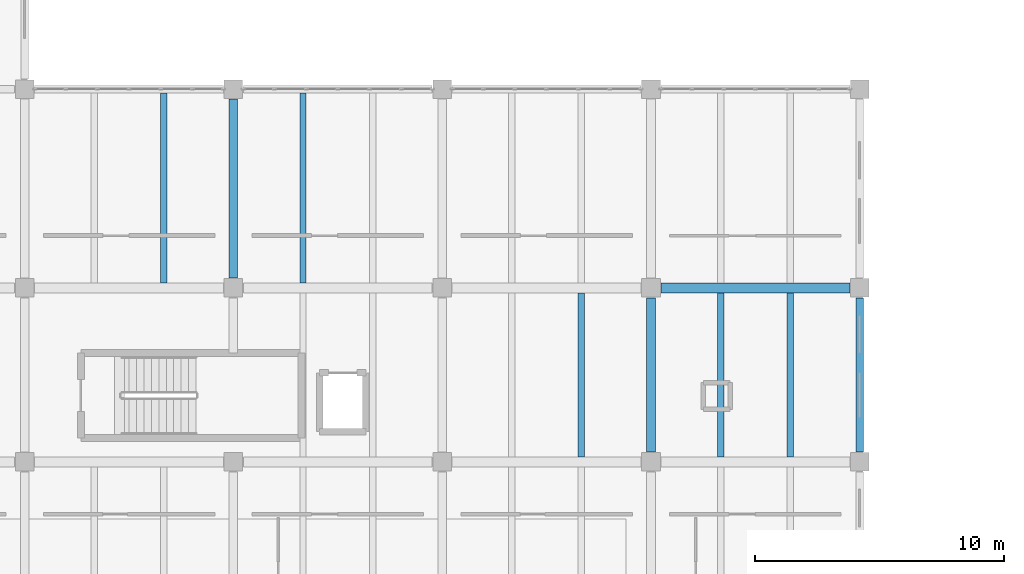
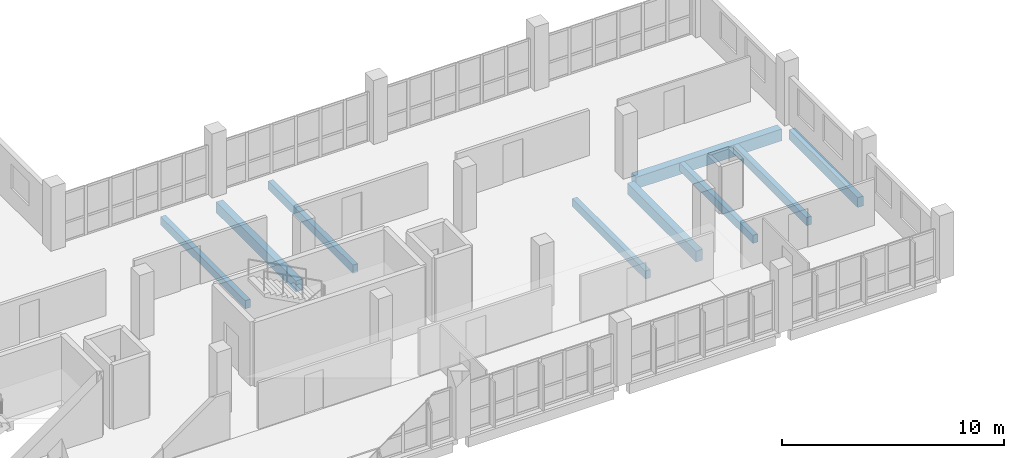
# One storey, part 19 of 95: 9 beams.
"""IFC4 building model written with IfcOpenShell, lengths in metres."""

import ifcopenshell
import ifcopenshell.guid

model = None  # the IFC model being written
_history = None  # IfcOwnerHistory: only IFC2X3 demands one
_inside = {}  # id of a spatial element -> (the spatial element, [elements in it])
_under = {}  # id of a project, library or spatial element -> (it, [spatial elements below it])
_declared = {}  # id of a project -> (the project, [libraries it declares])
_typed = {}  # id of a type object -> (the type object, [elements of that type])
_made_of = {}  # id of a material, layer set ... -> (it, [elements and type objects made of it])


def new_model(schema):
    """Start an empty IFC model of exactly this schema.

    Asked for "IFC4X3", IfcOpenShell would pick the latest addendum, in which some entities
    have other attributes; the version numbers below select the first issue.
    IFC2X3 requires an IfcOwnerHistory on every rooted entity: one is made here for all.
    """
    global model, _history
    if schema == "IFC4X3":
        model = ifcopenshell.file(schema_version=(4, 3, 0, 0))
    else:
        model = ifcopenshell.file(schema=schema)
    _inside.clear()
    _under.clear()
    _declared.clear()
    _typed.clear()
    _made_of.clear()
    _history = None
    if model.schema == "IFC2X3":
        org = make("IfcOrganization", Name="unknown")
        user = make(
            "IfcPersonAndOrganization",
            ThePerson=make("IfcPerson", FamilyName="unknown"),
            TheOrganization=org,
        )
        app = make(
            "IfcApplication",
            ApplicationDeveloper=org,
            Version="unknown",
            ApplicationFullName="unknown",
            ApplicationIdentifier="unknown",
        )
        _history = make(
            "IfcOwnerHistory",
            OwningUser=user,
            OwningApplication=app,
            ChangeAction="ADDED",
            CreationDate=0,
        )
    return model


def make(cls, **values):
    """One entity of the class cls with the attributes given. An attribute that is None is left unset."""
    return model.create_entity(
        cls, **{name: value for name, value in values.items() if value is not None}
    )


def rooted(cls, **values):
    """An entity with a GlobalId (a new one), such as an element, a storey or a relation."""
    return make(cls, GlobalId=ifcopenshell.guid.new(), OwnerHistory=_history, **values)


def si_unit(unit_type, name, prefix=None):
    """IfcSIUnit, for example si_unit("LENGTHUNIT", "METRE", prefix="MILLI")."""
    return make("IfcSIUnit", UnitType=unit_type, Prefix=prefix, Name=name)


def assignment(units):
    """IfcUnitAssignment: the units of a project."""
    return None if units is None else make("IfcUnitAssignment", Units=units)


def point(xyz):
    """IfcCartesianPoint."""
    return None if xyz is None else make("IfcCartesianPoint", Coordinates=xyz)


def direction(xyz):
    """IfcDirection."""
    return None if xyz is None else make("IfcDirection", DirectionRatios=xyz)


def frame(location, z_axis=None, x_axis=None):
    """IfcAxis2Placement3D, a coordinate frame: its origin and axes. An axis left out is left unset."""
    return make(
        "IfcAxis2Placement3D",
        Location=point(location),
        Axis=direction(z_axis),
        RefDirection=direction(x_axis),
    )


def frame_2d(location, x_axis=None):
    """IfcAxis2Placement2D, a coordinate frame in the plane: its origin and x axis."""
    return make(
        "IfcAxis2Placement2D", Location=point(location), RefDirection=direction(x_axis)
    )


def origin():
    """The frame at (0, 0, 0) with its axes left unset."""
    return frame((0.0, 0.0, 0.0))


def origin_2d():
    """The frame at (0, 0) in the plane with its x axis left unset."""
    return frame_2d((0.0, 0.0))


def place(relative_to, where):
    """IfcLocalPlacement: puts the frame where relative to a parent placement (None: the world)."""
    return make(
        "IfcLocalPlacement", PlacementRelTo=relative_to, RelativePlacement=where
    )


def context(
    kind, dimensions, precision=None, world=None, true_north=None, identifier=None
):
    """IfcGeometricRepresentationContext, for example the 3D "Model" context."""
    return make(
        "IfcGeometricRepresentationContext",
        ContextIdentifier=identifier,
        ContextType=kind,
        CoordinateSpaceDimension=dimensions,
        Precision=precision,
        WorldCoordinateSystem=world,
        TrueNorth=true_north,
    )


def subcontext(parent, identifier, kind, view, scale=None):
    """IfcGeometricRepresentationSubContext, for example "Body" below "Model"."""
    return make(
        "IfcGeometricRepresentationSubContext",
        ContextIdentifier=identifier,
        ContextType=kind,
        ParentContext=parent,
        TargetScale=scale,
        TargetView=view,
    )


def project(units=None, contexts=None):
    """IfcProject with its units and contexts."""
    return rooted(
        "IfcProject",
        Name="project",
        RepresentationContexts=contexts,
        UnitsInContext=assignment(units),
    )


def spatial(cls, under=None, at=None, **own):
    """A site, building, storey or space (cls), placed at a placement, below another one or the project."""
    s = rooted(cls, ObjectPlacement=at, **own)
    if under is not None:
        _under.setdefault(under.id(), (under, []))[1].append(s)
    return s


def profile(cls, at=None, kind="AREA", **sizes):
    """A parametric profile (cls). Its sizes go by their IFC names, for example OverallWidth=200.0."""
    return make(cls, ProfileType=kind, Position=at, **sizes)


def rectangle(**sizes):
    """IfcRectangleProfileDef."""
    return profile("IfcRectangleProfileDef", **sizes)


def extrude(swept, where, along, depth):
    """IfcExtrudedAreaSolid: the profile swept, set in the frame where, extruded along a direction by depth."""
    return make(
        "IfcExtrudedAreaSolid",
        SweptArea=swept,
        Position=where,
        ExtrudedDirection=direction(along),
        Depth=depth,
    )


def shape(context_of_items, identifier, shape_type, items):
    """IfcShapeRepresentation: the items that make up one representation, for example the "Body"."""
    return make(
        "IfcShapeRepresentation",
        ContextOfItems=context_of_items,
        RepresentationIdentifier=identifier,
        RepresentationType=shape_type,
        Items=items,
    )


def material(Name=None, Category=None):
    """IfcMaterial."""
    return make("IfcMaterial", Name=Name, Category=Category)


def material_profile(
    of_material, cross_section, Name=None, Category=None, Priority=None
):
    """IfcMaterialProfile: a cross section and its material."""
    return make(
        "IfcMaterialProfile",
        Name=Name,
        Material=of_material,
        Profile=cross_section,
        Priority=Priority,
        Category=Category,
    )


def profile_set(profiles, Name=None, composite=None):
    """IfcMaterialProfileSet."""
    return make(
        "IfcMaterialProfileSet",
        Name=Name,
        MaterialProfiles=profiles,
        CompositeProfile=composite,
    )


def made_of(thing, what):
    """Note that an element or type object is made of a material, layer set ...; save() writes the relation."""
    if what is not None:
        _made_of.setdefault(what.id(), (what, []))[1].append(thing)
    return thing


def type_object(cls, material=None, **own):
    """A type object (cls), such as IfcWallType, which elements share."""
    return made_of(rooted(cls, **own), material)


def element(
    cls,
    number,
    at=None,
    inside=None,
    cuts=None,
    type_object=None,
    material=None,
    context=None,
    identifier="Body",
    shape_type=None,
    held_by="IfcProductDefinitionShape",
    body=None,
    shapes=None,
    **own,
):
    """One element of the class cls, such as IfcWall. Its Tag is "e" and its number.

    at: its placement. inside: the storey or other place that contains it. cuts: it is an
    opening in that element (IfcRelVoidsElement). A single representation is given by context,
    identifier, shape_type and body (its items); several are given by shapes. held_by: the class
    of the entity that holds the representations. save() writes the other relations.
    """
    e = rooted(cls, Tag="e%d" % number, ObjectPlacement=at, **own)
    if body is not None:
        shapes = [shape(context, identifier, shape_type, body)]
    if shapes is not None:
        e.Representation = make(held_by, Representations=shapes)
    if inside is not None:
        _inside.setdefault(inside.id(), (inside, []))[1].append(e)
    if cuts is not None:
        rooted(
            "IfcRelVoidsElement", RelatingBuildingElement=cuts, RelatedOpeningElement=e
        )
    if type_object is not None:
        _typed.setdefault(type_object.id(), (type_object, []))[1].append(e)
    return made_of(e, material)


def aggregate(whole, parts):
    """IfcRelAggregates: a whole, such as a stair, and the parts it consists of."""
    return rooted("IfcRelAggregates", RelatingObject=whole, RelatedObjects=parts)


def save(model, path):
    """Write the relations noted so far, then the file.

    IfcRelAggregates (storeys below a building ...), IfcRelContainedInSpatialStructure (elements
    in a storey), IfcRelDefinesByType, IfcRelAssociatesMaterial and IfcRelDeclares: one each for
    every whole, place, type object, material and project.
    """
    for whole, parts in _under.values():
        aggregate(whole, parts)
    for where, things in _inside.values():
        rooted(
            "IfcRelContainedInSpatialStructure",
            RelatedElements=things,
            RelatingStructure=where,
        )
    for kind, things in _typed.values():
        rooted("IfcRelDefinesByType", RelatedObjects=things, RelatingType=kind)
    for what, things in _made_of.values():
        rooted("IfcRelAssociatesMaterial", RelatedObjects=things, RelatingMaterial=what)
    for by, libraries in _declared.values():
        rooted("IfcRelDeclares", RelatingContext=by, RelatedDefinitions=libraries)
    model.write(path)


model = new_model("IFC4")

# Units and contexts
model_context = context("Model", 3, precision=1e-05, world=origin(), true_north=direction((0.0, 1.0)))
body_context = subcontext(model_context, "Body", "Model", "MODEL_VIEW")
ifc_project = project(units=[si_unit("LENGTHUNIT", "METRE"), si_unit("AREAUNIT", "SQUARE_METRE"), si_unit("VOLUMEUNIT", "CUBIC_METRE"), si_unit("PLANEANGLEUNIT", "RADIAN"), si_unit("MASSUNIT", "GRAM", prefix="KILO"), si_unit("THERMODYNAMICTEMPERATUREUNIT", "KELVIN"), si_unit("POWERUNIT", "WATT")], contexts=[model_context])

# Site, building, storey
site_placement = place(None, origin())
site = spatial("IfcSite", under=ifc_project, at=site_placement, CompositionType="ELEMENT")
building_placement = place(site_placement, origin())
building = spatial("IfcBuilding", under=site, at=building_placement, Name="Mavoryth Pier Ferry Terminal", CompositionType="ELEMENT")
storey_placement = place(building_placement, frame((0.0, 0.0, 9.60009765625)))
storey = spatial("IfcBuildingStorey", under=building, at=storey_placement, Name="L02", CompositionType="ELEMENT", Elevation=9.60009765625)

# Beams
ifc_material = material(Name="Concrete C35/45", Category="concrete")
ifc_material_profile_1 = material_profile(ifc_material, rectangle(XDim=0.35009765625, YDim=0.60009765625, at=origin_2d()), Name="RC 350x600", Category="concrete")
ifc_profile_set_1 = profile_set([ifc_material_profile_1], Name="Concrete C35/45 - RC 350x600")
beam_type_1 = type_object("IfcBeamType", Name="Girder-RC-350x600", PredefinedType="BEAM", material=ifc_profile_set_1)
beam_1_placement = place(storey_placement, frame((67.199951171875, 14.39990234375, -0.56005859375), z_axis=(0.0, 1.0, 0.0), x_axis=(-1.0, 0.0, 0.0)))
element("IfcBeam", 1, at=beam_1_placement, inside=storey, type_object=beam_type_1, Name="Beam B02-BG08-0986", PredefinedType="BEAM", context=body_context, shape_type="SweptSolid", body=[
    extrude(rectangle(XDim=0.35009765625, YDim=0.60009765625, at=origin_2d()), origin(), (0.0, 0.0, 1.0), 7.2001953125),
])
beam_2_placement = place(storey_placement, frame((84.0, 7.39990234375, -0.56005859375), z_axis=(0.0, 1.0, 0.0), x_axis=(-1.0, 0.0, 0.0)))
element("IfcBeam", 2, at=beam_2_placement, inside=storey, type_object=beam_type_1, Name="Beam B02-BG08-0991", PredefinedType="BEAM", context=body_context, shape_type="SweptSolid", body=[
    extrude(rectangle(XDim=0.35009765625, YDim=0.60009765625, at=origin_2d()), origin(), (0.0, 0.0, 1.0), 6.2001953125),
])
ifc_material_profile_2 = material_profile(ifc_material, rectangle(XDim=0.39990234375, YDim=0.64990234375, at=origin_2d()), Name="RC 400x650", Category="concrete")
ifc_profile_set_2 = profile_set([ifc_material_profile_2], Name="Concrete C35/45 - RC 400x650")
beam_type_2 = type_object("IfcBeamType", Name="Girder-RC-400x650", PredefinedType="BEAM", material=ifc_profile_set_2)
beam_3_placement = place(storey_placement, frame((84.39990234375, 14.0, -0.585205078125), z_axis=(1.0, 0.0, 0.0), x_axis=(0.0, 1.0, 0.0)))
element("IfcBeam", 3, at=beam_3_placement, inside=storey, type_object=beam_type_2, Name="Beam B02-BG05-0968", PredefinedType="BEAM", context=body_context, shape_type="SweptSolid", body=[
    extrude(rectangle(XDim=0.39990234375, YDim=0.64990234375, at=origin_2d()), origin(), (0.0, 0.0, 1.0), 7.60009765625),
])
ifc_material_profile_3 = material_profile(ifc_material, rectangle(XDim=0.260009765625, YDim=0.449951171875, at=origin_2d()), Name="RC 260x450", Category="concrete")
ifc_profile_set_3 = profile_set([ifc_material_profile_3], Name="Concrete C35/45 - RC 260x450")
beam_type_3 = type_object("IfcBeamType", Name="Joist-RC-260x450", PredefinedType="JOIST", material=ifc_profile_set_3)
for number, where, z_axis, x_axis, name in (
    (4, (64.39990234375, 14.199951171875, -0.485107421875), (0.0, 1.0, 0.0), (-1.0, 0.0, 0.0), "Beam B02-BJ03-1009"),
    (5, (70.0, 14.199951171875, -0.485107421875), (0.0, 1.0, 0.0), (-1.0, 0.0, 0.0), "Beam B02-BJ03-1014"),
):
    element("IfcBeam", number, at=place(storey_placement, frame(where, z_axis=z_axis, x_axis=x_axis)), inside=storey, type_object=beam_type_3, Name=name, PredefinedType="JOIST", context=body_context, shape_type="SweptSolid", body=[
        extrude(rectangle(XDim=0.260009765625, YDim=0.449951171875, at=origin_2d()), origin(), (0.0, 0.0, 1.0), 7.650146484375),
    ])
for number, where, z_axis, x_axis, name in (
    (6, (81.199951171875, 7.199951171875, -0.485107421875), (0.0, 1.0, 0.0), (-1.0, 0.0, 0.0), "Beam B02-BJ03-1019"),
    (7, (86.800048828125, 7.199951171875, -0.485107421875), (0.0, 1.0, 0.0), (-1.0, 0.0, 0.0), "Beam B02-BJ03-1024"),
    (8, (89.60009765625, 7.199951171875, -0.485107421875), (0.0, 1.0, 0.0), (-1.0, 0.0, 0.0), "Beam B02-BJ03-1025"),
):
    element("IfcBeam", number, at=place(storey_placement, frame(where, z_axis=z_axis, x_axis=x_axis)), inside=storey, type_object=beam_type_3, Name=name, PredefinedType="JOIST", context=body_context, shape_type="SweptSolid", body=[
        extrude(rectangle(XDim=0.260009765625, YDim=0.449951171875, at=origin_2d()), origin(), (0.0, 0.0, 1.0), 6.60009765625),
    ])
ifc_material_profile_4 = material_profile(ifc_material, rectangle(XDim=0.300048828125, YDim=0.5400390625, at=origin_2d()), Name="RC 300x540", Category="concrete")
ifc_profile_set_4 = profile_set([ifc_material_profile_4], Name="Concrete C35/45 - RC 300x540")
beam_type_4 = type_object("IfcBeamType", Name="Spandrel-RC-300x540", PredefinedType="SPANDREL", material=ifc_profile_set_4)
beam_4_placement = place(storey_placement, frame((92.39990234375, 7.39990234375, -0.530029296875), z_axis=(0.0, 1.0, 0.0), x_axis=(-1.0, 0.0, 0.0)))
element("IfcBeam", 9, at=beam_4_placement, inside=storey, type_object=beam_type_4, Name="Beam B02-SP02-0994", PredefinedType="SPANDREL", context=body_context, shape_type="SweptSolid", body=[
    extrude(rectangle(XDim=0.300048828125, YDim=0.5400390625, at=origin_2d()), origin(), (0.0, 0.0, 1.0), 6.2001953125),
])

save(model, "model.ifc")
